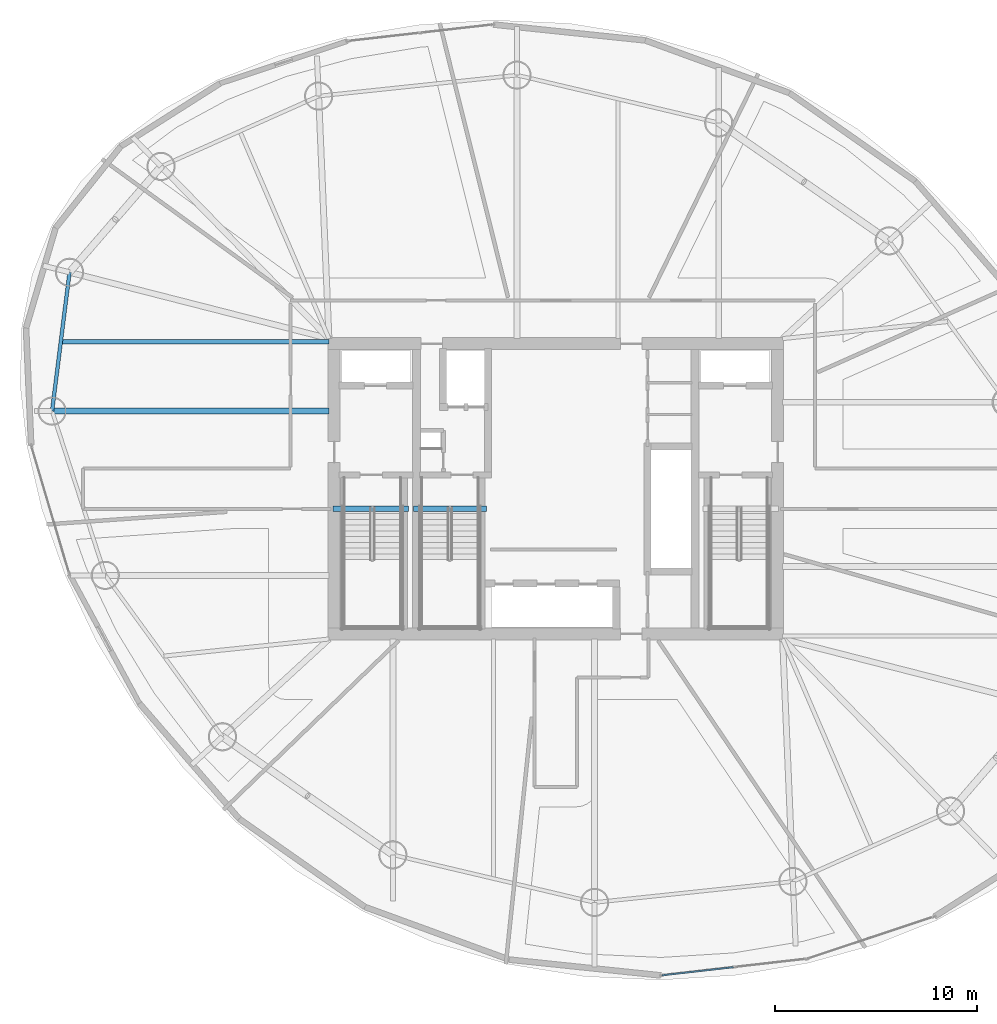
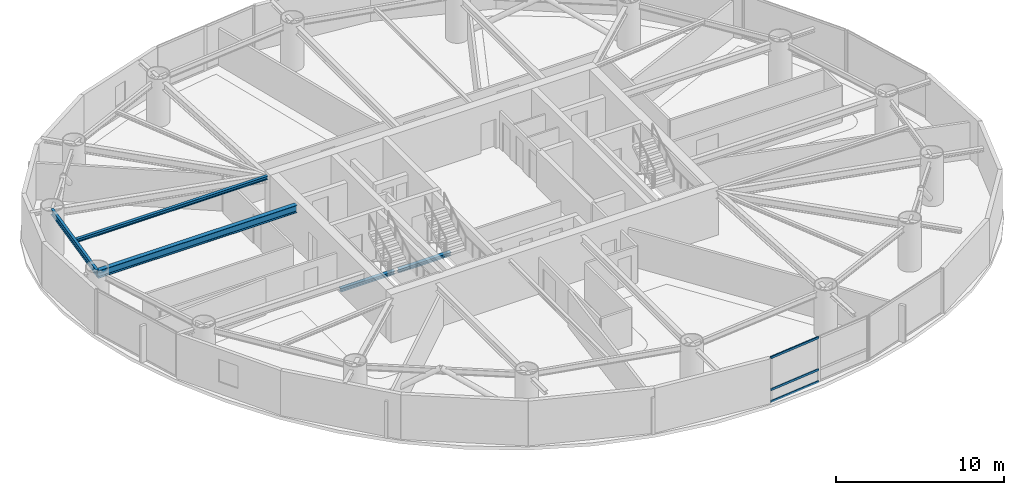
# One storey, part 6 of 22: 5 beams, 3 members, 1 element without a shape of its own.
"""IFC4 building model written with IfcOpenShell, lengths in metres."""

from ifc_helpers import new_model, si_unit, direction, frame, origin, origin_2d, place, context, subcontext, project, spatial, hollow_rectangle, i_section, extrude, material, layer, layer_set, material_profile, profile_set, type_object, element, aggregate, save


model = new_model("IFC4")

# Units and contexts
model_context = context("Model", 3, precision=1e-05, world=origin(), true_north=direction((0.0, 1.0)))
body_context = subcontext(model_context, "Body", "Model", "MODEL_VIEW")
ifc_project = project(units=[si_unit("LENGTHUNIT", "METRE"), si_unit("AREAUNIT", "SQUARE_METRE"), si_unit("VOLUMEUNIT", "CUBIC_METRE"), si_unit("PLANEANGLEUNIT", "RADIAN"), si_unit("MASSUNIT", "GRAM", prefix="KILO")], contexts=[model_context])

# Site, building, storey
site_placement = place(None, origin())
site = spatial("IfcSite", under=ifc_project, at=site_placement, CompositionType="ELEMENT")
building_placement = place(site_placement, origin())
building = spatial("IfcBuilding", under=site, at=building_placement, Name="Bramvorn Convention Spire", CompositionType="ELEMENT")
storey_placement = place(building_placement, frame((0.0, 0.0, 141.300048828125)))
storey = spatial("IfcBuildingStorey", under=building, at=storey_placement, Name="L35", CompositionType="ELEMENT", Elevation=141.300048828125)

# Beams
ifc_material_1 = material(Name="Steel CSA G40.21 Grade 350 (350W)", Category="steel")
ifc_material_profile_1 = material_profile(ifc_material_1, i_section(OverallWidth=0.201904296875, OverallDepth=0.2470703125, WebThickness=0.00732421875, FlangeThickness=0.010986328125, FilletRadius=0.011962890625, at=origin_2d()))
ifc_profile_set_1 = profile_set([ifc_material_profile_1], Name="Steel CSA G40.21 Grade 350 (350W) - W250X49")
beam_type_1 = type_object("IfcBeamType", Name="BM-W250X49", PredefinedType="JOIST", material=ifc_profile_set_1)
beam_1_placement = place(storey_placement, frame((26.75, 33.294921875, 3.136474609375), z_axis=(-1.0, 0.0, 0.0), x_axis=(0.0, -1.0, 0.0)))
element("IfcBeam", 1, at=beam_1_placement, inside=storey, type_object=beam_type_1, Name="L35 composite floor joist 09", PredefinedType="JOIST", context=body_context, shape_type="SweptSolid", body=[
    extrude(i_section(OverallWidth=0.201904296875, OverallDepth=0.2470703125, WebThickness=0.00732421875, FlangeThickness=0.010986328125, FilletRadius=0.011962890625, at=origin_2d()), origin(), (0.0, 0.0, 1.0), 13.30078125),
])
ifc_material_profile_2 = material_profile(ifc_material_1, i_section(OverallWidth=0.25390625, OverallDepth=0.2529296875, WebThickness=0.008544921875, FlangeThickness=0.01416015625, FilletRadius=0.011962890625, at=origin_2d()))
ifc_profile_set_2 = profile_set([ifc_material_profile_2], Name="Steel CSA G40.21 Grade 350 (350W) - W250X73")
beam_type_2 = type_object("IfcBeamType", Name="BM-W250X73", PredefinedType="BEAM", material=ifc_profile_set_2)
beam_2_placement = place(storey_placement, frame((26.949951171875, 25.010009765625, -0.12646484375), z_axis=(1.0, 0.0, 0.0), x_axis=(0.0, 1.0, 0.0)))
element("IfcBeam", 2, at=beam_2_placement, inside=storey, type_object=beam_type_2, Name="L35 ST1 stair arrival header beam", PredefinedType="BEAM", context=body_context, shape_type="SweptSolid", body=[
    extrude(i_section(OverallWidth=0.25390625, OverallDepth=0.2529296875, WebThickness=0.008544921875, FlangeThickness=0.01416015625, FilletRadius=0.011962890625, at=origin_2d()), origin(), (0.0, 0.0, 1.0), 3.739990234375),
])
beam_3_placement = place(storey_placement, frame((30.949951171875, 25.010009765625, -0.12646484375), z_axis=(1.0, 0.0, 0.0), x_axis=(0.0, 1.0, 0.0)))
element("IfcBeam", 3, at=beam_3_placement, inside=storey, type_object=beam_type_2, Name="L35 ST3 stair arrival header beam", PredefinedType="BEAM", context=body_context, shape_type="SweptSolid", body=[
    extrude(i_section(OverallWidth=0.25390625, OverallDepth=0.2529296875, WebThickness=0.008544921875, FlangeThickness=0.01416015625, FilletRadius=0.011962890625, at=origin_2d()), origin(), (0.0, 0.0, 1.0), 3.610107421875),
])
ifc_material_profile_3 = material_profile(ifc_material_1, i_section(OverallWidth=0.180908203125, OverallDepth=0.4169921875, WebThickness=0.010986328125, FlangeThickness=0.018310546875, FilletRadius=0.01611328125, at=origin_2d()))
ifc_profile_set_3 = profile_set([ifc_material_profile_3], Name="Steel CSA G40.21 Grade 350 (350W) - W410X85")
beam_type_3 = type_object("IfcBeamType", Name="BM-W410X85", PredefinedType="JOIST", material=ifc_profile_set_3)
beam_4_placement = place(storey_placement, frame((13.88232421875, 36.73779296875, 3.051513671875), z_axis=(-0.124775053879, -0.992185056292, 0.0), x_axis=(0.992185056292, -0.124775053879, 0.0)))
element("IfcBeam", 4, at=beam_4_placement, inside=storey, type_object=beam_type_3, Name="L35 mega-column ring beam 09", PredefinedType="JOIST", context=body_context, shape_type="SweptSolid", body=[
    extrude(i_section(OverallWidth=0.180908203125, OverallDepth=0.4169921875, WebThickness=0.010986328125, FlangeThickness=0.018310546875, FilletRadius=0.01611328125, at=origin_2d()), origin(), (0.0, 0.0, 1.0), 6.940185546875),
])
ifc_material_profile_4 = material_profile(ifc_material_1, i_section(OverallWidth=0.2919921875, OverallDepth=0.551025390625, WebThickness=0.01513671875, FlangeThickness=0.0244140625, FilletRadius=0.01904296875, at=origin_2d()))
ifc_profile_set_4 = profile_set([ifc_material_profile_4], Name="Steel CSA G40.21 Grade 350 (350W) - W530X182")
beam_type_4 = type_object("IfcBeamType", Name="BM-W530X182", PredefinedType="BEAM", material=ifc_profile_set_4)
beam_5_placement = place(storey_placement, frame((26.75, 29.851806640625, 2.984375), z_axis=(-1.0, 0.0, 0.0), x_axis=(0.0, -1.0, 0.0)))
element("IfcBeam", 5, at=beam_5_placement, inside=storey, type_object=beam_type_4, Name="L35 radial floor girder MC10", PredefinedType="BEAM", context=body_context, shape_type="SweptSolid", body=[
    extrude(i_section(OverallWidth=0.2919921875, OverallDepth=0.551025390625, WebThickness=0.01513671875, FlangeThickness=0.0244140625, FilletRadius=0.01904296875, at=origin_2d()), origin(), (0.0, 0.0, 1.0), 13.733642578125),
])

# Curtain wall, members
ifc_material_2 = material(Name="Anodised Bronze Unitised Curtain Wall", Category="aluminium")
ifc_layer = layer(ifc_material_2, 0.179931640625)
ifc_layer_set = layer_set([ifc_layer], Name="Anodised Bronze Unitised Curtain Wall - CW-HTL-FRIT")
curtain_wall_type = type_object("IfcCurtainWallType", Name="CW-HTL-FRIT", PredefinedType="USERDEFINED", material=ifc_layer_set)
curtain_wall_placement = place(storey_placement, origin())
curtain_wall = element("IfcCurtainWall", 6, at=curtain_wall_placement, inside=storey, type_object=curtain_wall_type, Name="L35 fritted glass curtain wall 21", ObjectType="UNITISED CURTAIN WALL", PredefinedType="USERDEFINED")
ifc_material_3 = material(Name="Anodised Bronze Aluminium 6063-T6", Category="aluminium")
ifc_material_profile_5 = material_profile(ifc_material_3, hollow_rectangle(XDim=0.080078125, YDim=0.159912109375, WallThickness=0.00390625, InnerFilletRadius=0.0009765625, OuterFilletRadius=0.00390625, at=origin_2d()))
ifc_profile_set_5 = profile_set([ifc_material_profile_5], Name="Anodised Bronze Aluminium 6063-T6 - CWT80X160")
member_type = type_object("IfcMemberType", Name="CW-TRN-150", PredefinedType="USERDEFINED", material=ifc_profile_set_5)
member_1_placement = place(storey_placement, frame((46.81103515625, 2.271484375, 0.030029296875), z_axis=(-0.993617153238, -0.112804932474, 0.0), x_axis=(0.112804932474, -0.993617153238, 0.0)))
member_1 = element("IfcMember", 7, at=member_1_placement, type_object=member_type, Name="CW2 transom 2.1", ObjectType="TRANSOM", PredefinedType="USERDEFINED", context=body_context, shape_type="SweptSolid", body=[
    extrude(hollow_rectangle(XDim=0.080078125, YDim=0.159912109375, WallThickness=0.00390625, InnerFilletRadius=0.0009765625, OuterFilletRadius=0.00390625, at=origin_2d()), origin(), (0.0, 0.0, 1.0), 3.555908203125),
])
member_2_placement = place(storey_placement, frame((46.81103515625, 2.271484375, 0.89990234375), z_axis=(-0.993617153238, -0.112804932474, 0.0), x_axis=(0.112804932474, -0.993617153238, 0.0)))
member_2 = element("IfcMember", 8, at=member_2_placement, type_object=member_type, Name="CW2 transom 2.2", ObjectType="TRANSOM", PredefinedType="USERDEFINED", context=body_context, shape_type="SweptSolid", body=[
    extrude(hollow_rectangle(XDim=0.080078125, YDim=0.159912109375, WallThickness=0.00390625, InnerFilletRadius=0.0009765625, OuterFilletRadius=0.00390625, at=origin_2d()), origin(), (0.0, 0.0, 1.0), 3.555908203125),
])
member_3_placement = place(storey_placement, frame((46.81103515625, 2.271484375, 3.22998046875), z_axis=(-0.993617153238, -0.112804932474, 0.0), x_axis=(0.112804932474, -0.993617153238, 0.0)))
member_3 = element("IfcMember", 9, at=member_3_placement, type_object=member_type, Name="CW2 transom 2.3", ObjectType="TRANSOM", PredefinedType="USERDEFINED", context=body_context, shape_type="SweptSolid", body=[
    extrude(hollow_rectangle(XDim=0.080078125, YDim=0.159912109375, WallThickness=0.00390625, InnerFilletRadius=0.0009765625, OuterFilletRadius=0.00390625, at=origin_2d()), origin(), (0.0, 0.0, 1.0), 3.555908203125),
])
aggregate(curtain_wall, [member_1, member_2, member_3])

save(model, "model.ifc")
